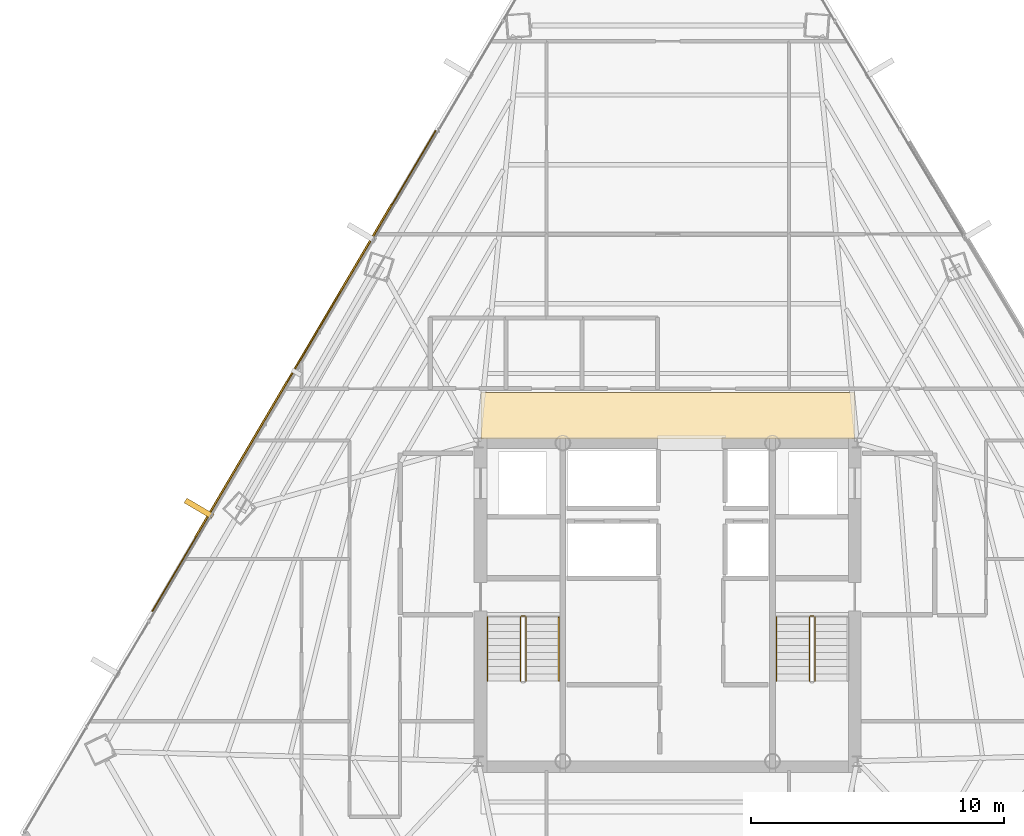
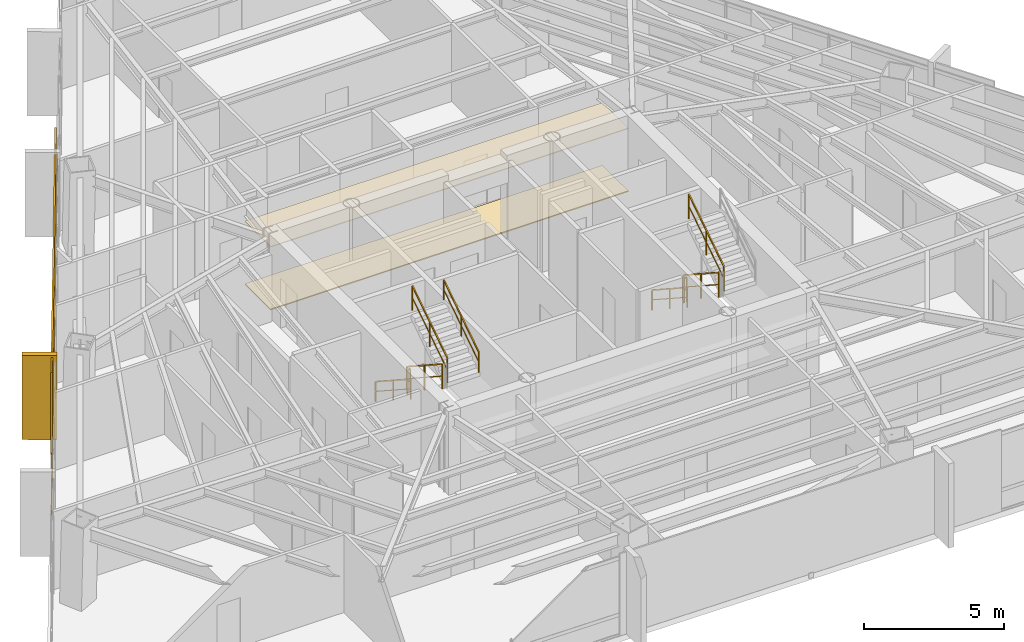
# One storey, part 40 of 41: 9 railings, 4 coverings, 1 shading device.
"""IFC4 building model written with IfcOpenShell, lengths in metres."""

from ifc_helpers import new_model, si_unit, direction, frame, origin, origin_2d, place, context, subcontext, project, spatial, polyline, rectangle, outline, extrude, source, transform, mapped, material, layer, layer_set, type_object, type_shapes, element, save


model = new_model("IFC4")

# Units and contexts
model_context = context("Model", 3, precision=1e-05, world=origin(), true_north=direction((0.0, 1.0)))
body_context = subcontext(model_context, "Body", "Model", "MODEL_VIEW")
ifc_project = project(units=[si_unit("LENGTHUNIT", "METRE"), si_unit("AREAUNIT", "SQUARE_METRE"), si_unit("VOLUMEUNIT", "CUBIC_METRE"), si_unit("PLANEANGLEUNIT", "RADIAN"), si_unit("MASSUNIT", "GRAM", prefix="KILO")], contexts=[model_context])

# Site, building, storey
site_placement = place(None, origin())
site = spatial("IfcSite", under=ifc_project, at=site_placement, CompositionType="ELEMENT")
building_placement = place(site_placement, origin())
building = spatial("IfcBuilding", under=site, at=building_placement, Name="Caelisora Broadcast Tower", CompositionType="ELEMENT")
storey_placement = place(building_placement, frame((0.0, 0.0, 169.449951171875)))
storey = spatial("IfcBuildingStorey", under=building, at=storey_placement, Name="L44", CompositionType="ELEMENT", Elevation=169.449951171875)

# Coverings
ifc_material_1 = material(Name="Perforated Mineral-Fibre Acoustic Ceiling Tile", Category="gypsum")
ifc_layer_1 = layer(ifc_material_1, 0.034912109375, Name="Perforated Mineral-Fibre Acoustic Ceiling Tile")
ifc_layer_set_1 = layer_set([ifc_layer_1], Name="Perforated Mineral-Fibre Acoustic Ceiling Tile")
covering_type_1 = type_object("IfcCoveringType", Name="CE-1", PredefinedType="CEILING", material=ifc_layer_set_1)
covering_1_placement = place(storey_placement, frame((0.0, 0.0, 2.75)))
element("IfcCovering", 1, at=covering_1_placement, inside=storey, type_object=covering_type_1, Name="L44 acoustic corridor ceiling CE-1 (N)", PredefinedType="CEILING", context=body_context, shape_type="SweptSolid", body=[
    extrude(outline(polyline([(30.60009765625, 30.14990234375), (45.39990234375, 30.14990234375), (45.39990234375, 32.0), (30.60009765625, 32.0), (30.60009765625, 30.14990234375)])), origin(), (0.0, 0.0, 1.0), 0.03515625),
])
ifc_material_2 = material(Name="Anti-Static Broadcast Raised Access Floor Panel", Category="steel")
ifc_layer_2 = layer(ifc_material_2, 0.044921875, Name="Anti-Static Broadcast Raised Access Floor Panel")
ifc_layer_set_2 = layer_set([ifc_layer_2], Name="Anti-Static Broadcast Raised Access Floor Panel")
covering_type_2 = type_object("IfcCoveringType", Name="FL-1", PredefinedType="FLOORING", material=ifc_layer_set_2)
covering_2_placement = place(storey_placement, origin())
element("IfcCovering", 2, at=covering_2_placement, inside=storey, type_object=covering_type_2, Name="L44 broadcast raised access floor FL-1 (N)", PredefinedType="FLOORING", context=body_context, shape_type="SweptSolid", body=[
    extrude(outline(polyline([(30.60009765625, 30.14990234375), (45.39990234375, 30.14990234375), (45.39990234375, 32.0), (30.60009765625, 32.0), (30.60009765625, 30.14990234375)])), origin(), (0.0, 0.0, 1.0), 0.045166015625),
])

# Railings
ifc_material_3 = material(Name="Galvanised Steel Safety Guardrail", Category="steel")
ifc_layer_3 = layer(ifc_material_3, 0.048095703125, Name="Galvanised Steel Safety Guardrail")
ifc_layer_set_3 = layer_set([ifc_layer_3], Name="Galvanised Steel Safety Guardrail")
railing_type_1 = type_object("IfcRailingType", Name="GR-1", PredefinedType="GUARDRAIL", material=ifc_layer_set_3)
railing_1_placement = place(storey_placement, frame((32.169921875, 23.10009765625, 0.1826171875)))
element("IfcRailing", 3, at=railing_1_placement, inside=storey, type_object=railing_type_1, Name="L44 ST-1 stair guard 1", PredefinedType="GUARDRAIL", context=body_context, shape_type="SweptSolid", body=[
    extrude(rectangle(XDim=0.048095703125, YDim=0.048095703125, at=origin_2d()), frame((0.0, 0.0, 1.076171875), z_axis=(0.0, -0.837786554691, 0.545997883492), x_axis=(1.0, 0.0, 0.0)), (0.0, 0.0, 1.0), 3.008056640625),
    extrude(rectangle(XDim=0.03125, YDim=0.03125, at=origin_2d()), frame((0.0, 0.0, 0.550048828125), z_axis=(0.0, -0.837786554691, 0.545997883492), x_axis=(1.0, 0.0, 0.0)), (0.0, 0.0, 1.0), 3.008056640625),
    extrude(rectangle(XDim=0.0419921875, YDim=0.0419921875, at=origin_2d()), origin(), (0.0, 0.0, 1.0), 1.052001953125),
    extrude(rectangle(XDim=0.0419921875, YDim=0.0419921875, at=origin_2d()), frame((0.0, -1.260009765625, 0.8212890625)), (0.0, 0.0, 1.0), 1.052001953125),
    extrude(rectangle(XDim=0.0419921875, YDim=0.0419921875, at=origin_2d()), frame((0.0, -2.52001953125, 1.642333984375)), (0.0, 0.0, 1.0), 1.052001953125),
])
railing_2_placement = place(storey_placement, frame((32.389892578125, 20.580078125, 2.007568359375)))
element("IfcRailing", 4, at=railing_2_placement, inside=storey, type_object=railing_type_1, Name="L44 ST-1 stair guard 3", PredefinedType="GUARDRAIL", context=body_context, shape_type="SweptSolid", body=[
    extrude(rectangle(XDim=0.048095703125, YDim=0.048095703125, at=origin_2d()), frame((0.0, 0.0, 1.076171875), z_axis=(0.0, 0.837749427056, 0.546054848405), x_axis=(-1.0, 0.0, 0.0)), (0.0, 0.0, 1.0), 3.008056640625),
    extrude(rectangle(XDim=0.03125, YDim=0.03125, at=origin_2d()), frame((0.0, 0.0, 0.550048828125), z_axis=(0.0, 0.837749427056, 0.546054848405), x_axis=(-1.0, 0.0, 0.0)), (0.0, 0.0, 1.0), 3.008056640625),
    extrude(rectangle(XDim=0.0419921875, YDim=0.0419921875, at=origin_2d()), origin(), (0.0, 0.0, 1.0), 1.052001953125),
    extrude(rectangle(XDim=0.0419921875, YDim=0.0419921875, at=origin_2d()), frame((0.0, 1.260009765625, 0.8212890625)), (0.0, 0.0, 1.0), 1.052001953125),
    extrude(rectangle(XDim=0.0419921875, YDim=0.0419921875, at=origin_2d()), frame((0.0, 2.52001953125, 1.642578125)), (0.0, 0.0, 1.0), 1.052001953125),
])
railing_3_placement = place(storey_placement, frame((32.219970703125, 23.14990234375, 0.0)))
element("IfcRailing", 5, at=railing_3_placement, inside=storey, type_object=railing_type_1, Name="L44 ST-1 stair guard 4", PredefinedType="GUARDRAIL", context=body_context, shape_type="SweptSolid", body=[
    extrude(rectangle(XDim=0.048095703125, YDim=0.048095703125, at=origin_2d()), frame((0.0, 0.0, 1.076171875), z_axis=(1.0, 0.0, 0.0), x_axis=(0.0, 1.0, 0.0)), (0.0, 0.0, 1.0), 0.1201171875),
    extrude(rectangle(XDim=0.03125, YDim=0.03125, at=origin_2d()), frame((0.0, 0.0, 0.550048828125), z_axis=(1.0, 0.0, 0.0), x_axis=(0.0, 1.0, 0.0)), (0.0, 0.0, 1.0), 0.1201171875),
    extrude(rectangle(XDim=0.0419921875, YDim=0.0419921875, at=origin_2d()), origin(), (0.0, 0.0, 1.0), 1.052001953125),
    extrude(rectangle(XDim=0.0419921875, YDim=0.0419921875, at=origin_2d()), frame((0.1201171875, 0.0, 0.0)), (0.0, 0.0, 1.0), 1.052001953125),
])
railing_4_placement = place(storey_placement, frame((43.610107421875, 23.10009765625, 0.1826171875)))
element("IfcRailing", 6, at=railing_4_placement, inside=storey, type_object=railing_type_1, Name="L44 ST-2 stair guard 1", PredefinedType="GUARDRAIL", context=body_context, shape_type="SweptSolid", body=[
    extrude(rectangle(XDim=0.048095703125, YDim=0.048095703125, at=origin_2d()), frame((0.0, 0.0, 1.076171875), z_axis=(0.0, -0.837786554691, 0.545997883492), x_axis=(1.0, 0.0, 0.0)), (0.0, 0.0, 1.0), 3.008056640625),
    extrude(rectangle(XDim=0.03125, YDim=0.03125, at=origin_2d()), frame((0.0, 0.0, 0.550048828125), z_axis=(0.0, -0.837786554691, 0.545997883492), x_axis=(1.0, 0.0, 0.0)), (0.0, 0.0, 1.0), 3.008056640625),
    extrude(rectangle(XDim=0.0419921875, YDim=0.0419921875, at=origin_2d()), origin(), (0.0, 0.0, 1.0), 1.052001953125),
    extrude(rectangle(XDim=0.0419921875, YDim=0.0419921875, at=origin_2d()), frame((0.0, -1.260009765625, 0.8212890625)), (0.0, 0.0, 1.0), 1.052001953125),
    extrude(rectangle(XDim=0.0419921875, YDim=0.0419921875, at=origin_2d()), frame((0.0, -2.52001953125, 1.642333984375)), (0.0, 0.0, 1.0), 1.052001953125),
])
railing_5_placement = place(storey_placement, frame((43.830078125, 20.580078125, 2.007568359375)))
element("IfcRailing", 7, at=railing_5_placement, inside=storey, type_object=railing_type_1, Name="L44 ST-2 stair guard 3", PredefinedType="GUARDRAIL", context=body_context, shape_type="SweptSolid", body=[
    extrude(rectangle(XDim=0.048095703125, YDim=0.048095703125, at=origin_2d()), frame((0.0, 0.0, 1.076171875), z_axis=(0.0, 0.837749427056, 0.546054848405), x_axis=(-1.0, 0.0, 0.0)), (0.0, 0.0, 1.0), 3.008056640625),
    extrude(rectangle(XDim=0.03125, YDim=0.03125, at=origin_2d()), frame((0.0, 0.0, 0.550048828125), z_axis=(0.0, 0.837749427056, 0.546054848405), x_axis=(-1.0, 0.0, 0.0)), (0.0, 0.0, 1.0), 3.008056640625),
    extrude(rectangle(XDim=0.0419921875, YDim=0.0419921875, at=origin_2d()), origin(), (0.0, 0.0, 1.0), 1.052001953125),
    extrude(rectangle(XDim=0.0419921875, YDim=0.0419921875, at=origin_2d()), frame((0.0, 1.260009765625, 0.8212890625)), (0.0, 0.0, 1.0), 1.052001953125),
    extrude(rectangle(XDim=0.0419921875, YDim=0.0419921875, at=origin_2d()), frame((0.0, 2.52001953125, 1.642578125)), (0.0, 0.0, 1.0), 1.052001953125),
])
railing_6_placement = place(storey_placement, frame((43.659912109375, 23.14990234375, 0.0)))
element("IfcRailing", 8, at=railing_6_placement, inside=storey, type_object=railing_type_1, Name="L44 ST-2 stair guard 4", PredefinedType="GUARDRAIL", context=body_context, shape_type="SweptSolid", body=[
    extrude(rectangle(XDim=0.048095703125, YDim=0.048095703125, at=origin_2d()), frame((0.0, 0.0, 1.076171875), z_axis=(1.0, 0.0, 0.0), x_axis=(0.0, 1.0, 0.0)), (0.0, 0.0, 1.0), 0.1201171875),
    extrude(rectangle(XDim=0.03125, YDim=0.03125, at=origin_2d()), frame((0.0, 0.0, 0.550048828125), z_axis=(1.0, 0.0, 0.0), x_axis=(0.0, 1.0, 0.0)), (0.0, 0.0, 1.0), 0.1201171875),
    extrude(rectangle(XDim=0.0419921875, YDim=0.0419921875, at=origin_2d()), origin(), (0.0, 0.0, 1.0), 1.052001953125),
    extrude(rectangle(XDim=0.0419921875, YDim=0.0419921875, at=origin_2d()), frame((0.1201171875, 0.0, 0.0)), (0.0, 0.0, 1.0), 1.052001953125),
])
ifc_material_4 = material(Name="Stainless Steel Grade 316 Tubular Handrail", Category="steel")
ifc_layer_4 = layer(ifc_material_4, 0.048095703125, Name="Stainless Steel Grade 316 Tubular Handrail")
ifc_layer_set_4 = layer_set([ifc_layer_4], Name="Stainless Steel Grade 316 Tubular Handrail")
railing_type_2 = type_object("IfcRailingType", Name="HR-1", PredefinedType="HANDRAIL", material=ifc_layer_set_4)
railing_7_placement = place(storey_placement, frame((30.8701171875, 23.10009765625, 0.1826171875)))
element("IfcRailing", 9, at=railing_7_placement, inside=storey, type_object=railing_type_2, Name="L44 ST-1 stair handrail 1", PredefinedType="HANDRAIL", context=body_context, shape_type="SweptSolid", body=[
    extrude(rectangle(XDim=0.048095703125, YDim=0.048095703125, at=origin_2d()), frame((0.0, 0.0, 0.8759765625), z_axis=(0.0, -0.837786554691, 0.545997883492), x_axis=(1.0, 0.0, 0.0)), (0.0, 0.0, 1.0), 3.008056640625),
    extrude(rectangle(XDim=0.03125, YDim=0.03125, at=origin_2d()), frame((0.0, 0.0, 0.449951171875), z_axis=(0.0, -0.837786554691, 0.545997883492), x_axis=(1.0, 0.0, 0.0)), (0.0, 0.0, 1.0), 3.008056640625),
    extrude(rectangle(XDim=0.0419921875, YDim=0.0419921875, at=origin_2d()), origin(), (0.0, 0.0, 1.0), 0.851806640625),
    extrude(rectangle(XDim=0.0419921875, YDim=0.0419921875, at=origin_2d()), frame((0.0, -1.260009765625, 0.8212890625)), (0.0, 0.0, 1.0), 0.851806640625),
    extrude(rectangle(XDim=0.0419921875, YDim=0.0419921875, at=origin_2d()), frame((0.0, -2.52001953125, 1.642333984375)), (0.0, 0.0, 1.0), 0.851806640625),
])
railing_8_placement = place(storey_placement, frame((33.68994140625, 20.580078125, 2.007568359375)))
element("IfcRailing", 10, at=railing_8_placement, inside=storey, type_object=railing_type_2, Name="L44 ST-1 stair handrail 2", PredefinedType="HANDRAIL", context=body_context, shape_type="SweptSolid", body=[
    extrude(rectangle(XDim=0.048095703125, YDim=0.048095703125, at=origin_2d()), frame((0.0, 0.0, 0.8759765625), z_axis=(0.0, 0.837749427056, 0.546054848405), x_axis=(-1.0, 0.0, 0.0)), (0.0, 0.0, 1.0), 3.008056640625),
    extrude(rectangle(XDim=0.03125, YDim=0.03125, at=origin_2d()), frame((0.0, 0.0, 0.449951171875), z_axis=(0.0, 0.837749427056, 0.546054848405), x_axis=(-1.0, 0.0, 0.0)), (0.0, 0.0, 1.0), 3.008056640625),
    extrude(rectangle(XDim=0.0419921875, YDim=0.0419921875, at=origin_2d()), origin(), (0.0, 0.0, 1.0), 0.851806640625),
    extrude(rectangle(XDim=0.0419921875, YDim=0.0419921875, at=origin_2d()), frame((0.0, 1.260009765625, 0.8212890625)), (0.0, 0.0, 1.0), 0.851806640625),
    extrude(rectangle(XDim=0.0419921875, YDim=0.0419921875, at=origin_2d()), frame((0.0, 2.52001953125, 1.642578125)), (0.0, 0.0, 1.0), 0.851806640625),
])
railing_9_placement = place(storey_placement, frame((42.31005859375, 23.10009765625, 0.1826171875)))
element("IfcRailing", 11, at=railing_9_placement, inside=storey, type_object=railing_type_2, Name="L44 ST-2 stair handrail 1", PredefinedType="HANDRAIL", context=body_context, shape_type="SweptSolid", body=[
    extrude(rectangle(XDim=0.048095703125, YDim=0.048095703125, at=origin_2d()), frame((0.0, 0.0, 0.8759765625), z_axis=(0.0, -0.837786554691, 0.545997883492), x_axis=(1.0, 0.0, 0.0)), (0.0, 0.0, 1.0), 3.008056640625),
    extrude(rectangle(XDim=0.03125, YDim=0.03125, at=origin_2d()), frame((0.0, 0.0, 0.449951171875), z_axis=(0.0, -0.837786554691, 0.545997883492), x_axis=(1.0, 0.0, 0.0)), (0.0, 0.0, 1.0), 3.008056640625),
    extrude(rectangle(XDim=0.0419921875, YDim=0.0419921875, at=origin_2d()), origin(), (0.0, 0.0, 1.0), 0.851806640625),
    extrude(rectangle(XDim=0.0419921875, YDim=0.0419921875, at=origin_2d()), frame((0.0, -1.260009765625, 0.8212890625)), (0.0, 0.0, 1.0), 0.851806640625),
    extrude(rectangle(XDim=0.0419921875, YDim=0.0419921875, at=origin_2d()), frame((0.0, -2.52001953125, 1.642333984375)), (0.0, 0.0, 1.0), 0.851806640625),
])

# Covering
ifc_material_5 = material(Name="Kiln-Fired Terracotta Spandrel Rainscreen Cladding", Category="ceramic")
ifc_layer_5 = layer(ifc_material_5, 0.044921875, Name="Kiln-Fired Terracotta Spandrel Rainscreen Cladding")
ifc_layer_set_5 = layer_set([ifc_layer_5], Name="Kiln-Fired Terracotta Spandrel Rainscreen Cladding")
covering_type_3 = type_object("IfcCoveringType", Name="CL-1", PredefinedType="CLADDING", material=ifc_layer_set_5)
shared_shape_1 = source(origin(), body_context, "Body", "SweptSolid", [
    extrude(rectangle(XDim=0.219970703125, YDim=1.25, at=origin_2d()), origin(), (0.0, 0.0, 1.0), 3.68994140625),
])
covering_3_placement = place(storey_placement, frame((19.446533203125, 27.406494140625, -0.02001953125), z_axis=(0.0, 0.0, 1.0), x_axis=(0.507989441341, 0.861363295878, 0.0)))
element("IfcCovering", 12, at=covering_3_placement, inside=storey, type_object=covering_type_3, Name="L44 vertical solar fin cladding #3-2", PredefinedType="CLADDING", context=body_context, shape_type="MappedRepresentation", body=[
    mapped(shared_shape_1, transform((0.0, 0.0, 0.0), scale=1.0)),
])

# Shading device
ifc_material_6 = material(Name="Perforated Glazed Terracotta Baguette Solar Screen", Category="ceramic")
ifc_layer_6 = layer(ifc_material_6, 0.06494140625, Name="Perforated Glazed Terracotta Baguette Solar Screen")
ifc_layer_set_6 = layer_set([ifc_layer_6], Name="Perforated Glazed Terracotta Baguette Solar Screen")
shading_device_type = type_object("IfcShadingDeviceType", Name="SS-1", PredefinedType="USERDEFINED", material=ifc_layer_set_6)
shared_shape_2 = source(origin(), body_context, "Body", "SweptSolid", [
    extrude(rectangle(XDim=15.302001953125, YDim=0.06494140625, at=origin_2d()), origin(), (0.0, 0.0, 1.0), 3.590087890625),
])
type_shapes(shading_device_type, [shared_shape_2])
shading_device_placement = place(storey_placement, frame((23.18701171875, 32.8623046875, 0.0), z_axis=(0.0, 0.0, 1.0), x_axis=(-0.507989441341, -0.861363295878, 0.0)))
element("IfcShadingDevice", 13, at=shading_device_placement, inside=storey, type_object=shading_device_type, Name="L44 perforated terracotta solar screen #1", ObjectType="SOLAR SCREEN", PredefinedType="USERDEFINED", context=body_context, shape_type="MappedRepresentation", body=[
    mapped(shared_shape_2, transform((0.0, 0.0, 0.0), scale=1.0)),
])

# Covering
shared_shape_3 = source(origin(), body_context, "Body", "SweptSolid", [
    extrude(rectangle(XDim=22.10302734375, YDim=0.044921875, at=origin_2d()), origin(), (0.0, 0.0, 1.0), 0.340087890625),
])
type_shapes(covering_type_3, [shared_shape_1, shared_shape_3])
covering_4_placement = place(storey_placement, frame((23.2041015625, 32.85205078125, -0.27001953125), z_axis=(0.0, 0.0, 1.0), x_axis=(-0.507989441341, -0.861363295878, 0.0)))
element("IfcCovering", 14, at=covering_4_placement, inside=storey, type_object=covering_type_3, Name="L44 terracotta spandrel rainscreen #1", PredefinedType="CLADDING", context=body_context, shape_type="MappedRepresentation", body=[
    mapped(shared_shape_3, transform((0.0, 0.0, 0.0), scale=1.0)),
])

save(model, "model.ifc")
